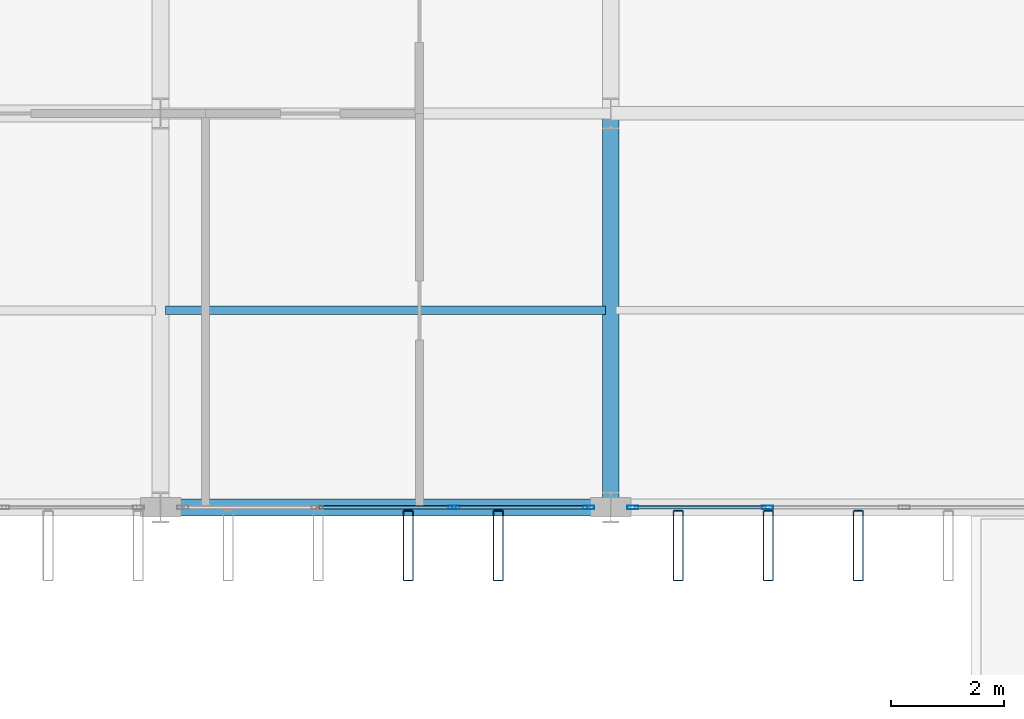
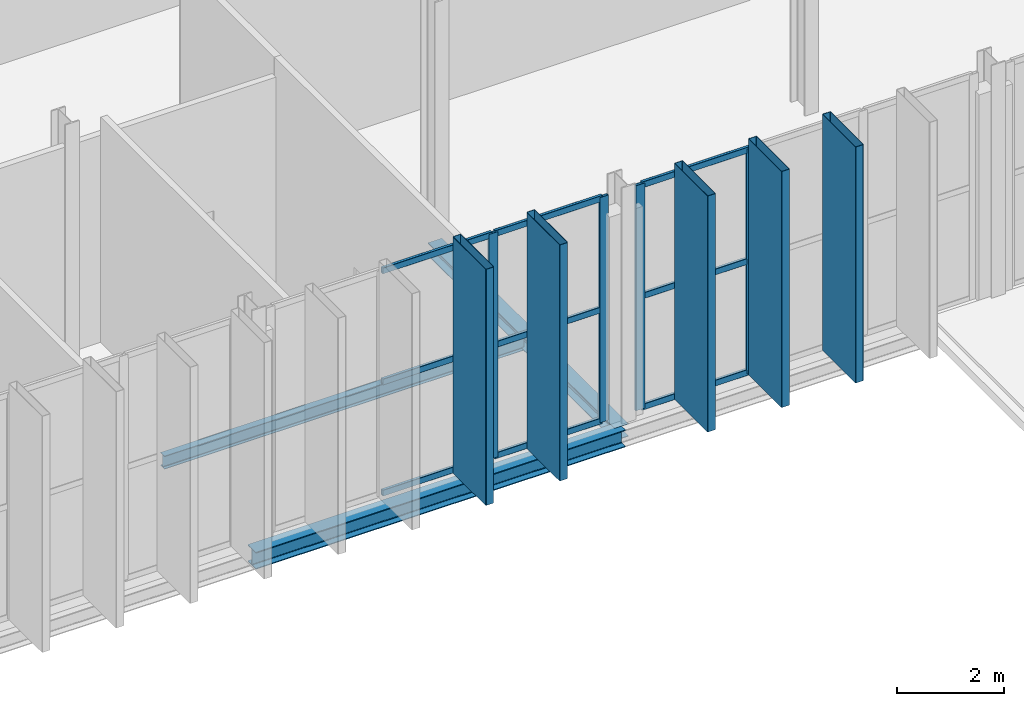
# One storey, part 37 of 147: 18 members, 3 beams, 2 elements without a shape of their own.
"""IFC4 building model written with IfcOpenShell, lengths in metres."""

from ifc_helpers import new_model, si_unit, direction, frame, origin, origin_2d, place, context, subcontext, project, spatial, hollow_rectangle, i_section, extrude, material, layer, layer_set, material_profile, profile_set, type_object, element, aggregate, save


model = new_model("IFC4")

# Units and contexts
model_context = context("Model", 3, precision=1e-05, world=origin(), true_north=direction((0.0, 1.0)))
body_context = subcontext(model_context, "Body", "Model", "MODEL_VIEW")
ifc_project = project(units=[si_unit("LENGTHUNIT", "METRE"), si_unit("AREAUNIT", "SQUARE_METRE"), si_unit("VOLUMEUNIT", "CUBIC_METRE"), si_unit("PLANEANGLEUNIT", "RADIAN"), si_unit("MASSUNIT", "GRAM", prefix="KILO")], contexts=[model_context])

# Site, building, storey
site_placement = place(None, origin())
site = spatial("IfcSite", under=ifc_project, at=site_placement, CompositionType="ELEMENT")
building_placement = place(site_placement, origin())
building = spatial("IfcBuilding", under=site, at=building_placement, Name="Vekula Escarpment Museum", CompositionType="ELEMENT")
storey_placement = place(building_placement, frame((0.0, 0.0, 7.800048828125)))
storey = spatial("IfcBuildingStorey", under=building, at=storey_placement, Name="L02", CompositionType="ELEMENT", Elevation=7.800048828125)

# Beams
ifc_material_1 = material(Name="Steel S355", Category="steel")
ifc_material_profile_1 = material_profile(ifc_material_1, i_section(OverallWidth=0.14990234375, OverallDepth=0.300048828125, WebThickness=0.007080078125, FlangeThickness=0.0107421875, FilletRadius=0.014892578125, at=origin_2d()), Name="IPE 300")
ifc_profile_set_1 = profile_set([ifc_material_profile_1], Name="Steel S355")
beam_type_1 = type_object("IfcBeamType", Name="BM-JST-IPE300", PredefinedType="JOIST", material=ifc_profile_set_1)
beam_1_placement = place(storey_placement, frame((78.090087890625, 49.10009765625, -0.41015625), z_axis=(1.0, 0.0, 0.0), x_axis=(0.0, 1.0, 0.0)))
element("IfcBeam", 1, at=beam_1_placement, inside=storey, type_object=beam_type_1, Name="Secondary Joist L02 0743", PredefinedType="JOIST", context=body_context, shape_type="SweptSolid", body=[
    extrude(i_section(OverallWidth=0.14990234375, OverallDepth=0.300048828125, WebThickness=0.007080078125, FlangeThickness=0.0107421875, FilletRadius=0.014892578125, at=origin_2d()), origin(), (0.0, 0.0, 1.0), 7.81982421875),
])
ifc_material_2 = material(Name="Steel S355", Category="steel")
ifc_material_profile_2 = material_profile(ifc_material_2, i_section(OverallWidth=0.300048828125, OverallDepth=0.2900390625, WebThickness=0.008544921875, FlangeThickness=0.013916015625, FilletRadius=0.027099609375, at=origin_2d()), Name="HEA 300")
ifc_profile_set_2 = profile_set([ifc_material_profile_2], Name="Steel S355")
beam_type_2 = type_object("IfcBeamType", Name="BM-SPAN-HEA300", PredefinedType="SPANDREL", material=ifc_profile_set_2)
beam_2_placement = place(storey_placement, frame((86.0, 45.60009765625, -0.405029296875), z_axis=(0.0, 1.0, 0.0), x_axis=(-1.0, 0.0, 0.0)))
element("IfcBeam", 2, at=beam_2_placement, inside=storey, type_object=beam_type_2, Name="Beam Y L02 1144", PredefinedType="SPANDREL", context=body_context, shape_type="SweptSolid", body=[
    extrude(i_section(OverallWidth=0.300048828125, OverallDepth=0.2900390625, WebThickness=0.008544921875, FlangeThickness=0.013916015625, FilletRadius=0.027099609375, at=origin_2d()), origin(), (0.0, 0.0, 1.0), 7.0),
])
ifc_material_3 = material(Name="Steel S355", Category="steel")
ifc_material_profile_3 = material_profile(ifc_material_3, i_section(OverallWidth=0.300048828125, OverallDepth=0.389892578125, WebThickness=0.010986328125, FlangeThickness=0.01904296875, FilletRadius=0.027099609375, at=origin_2d()), Name="HEA 400")
ifc_profile_set_3 = profile_set([ifc_material_profile_3], Name="Steel S355")
beam_type_3 = type_object("IfcBeamType", Name="BM-SPAN-HEA400", PredefinedType="SPANDREL", material=ifc_profile_set_3)
beam_3_placement = place(storey_placement, frame((78.0, 45.60009765625, -0.455078125), z_axis=(1.0, 0.0, 0.0), x_axis=(0.0, 1.0, 0.0)))
element("IfcBeam", 3, at=beam_3_placement, inside=storey, type_object=beam_type_3, Name="Beam X L02 0845", PredefinedType="SPANDREL", context=body_context, shape_type="SweptSolid", body=[
    extrude(i_section(OverallWidth=0.300048828125, OverallDepth=0.389892578125, WebThickness=0.010986328125, FlangeThickness=0.01904296875, FilletRadius=0.027099609375, at=origin_2d()), origin(), (0.0, 0.0, 1.0), 8.0),
])

# Curtain wall, members
ifc_material_4 = material(Name="Aluminium thermally broken framing", Category="aluminium")
ifc_layer_1 = layer(ifc_material_4, 0.199951171875)
ifc_layer_set_1 = layer_set([ifc_layer_1], Name="Aluminium thermally broken framing")
curtain_wall_type_1 = type_object("IfcCurtainWallType", Name="CW-SYS-04", PredefinedType="NOTDEFINED", material=ifc_layer_set_1)
curtain_wall_1_placement = place(storey_placement, origin())
curtain_wall_1 = element("IfcCurtainWall", 4, at=curtain_wall_1_placement, inside=storey, type_object=curtain_wall_type_1, Name="Curtain Wall CW-L02-054", PredefinedType="NOTDEFINED")
ifc_material_5 = material(Name="Aluminium anodized mullion", Category="aluminium")
ifc_material_profile_4 = material_profile(ifc_material_5, hollow_rectangle(XDim=0.06494140625, YDim=0.199951171875, WallThickness=0.00390625, InnerFilletRadius=0.00390625, OuterFilletRadius=0.008056640625, at=origin_2d()), Name="ALU 200x65x4")
ifc_profile_set_4 = profile_set([ifc_material_profile_4], Name="Aluminium anodized mullion")
member_type_1 = type_object("IfcMemberType", Name="CW-MUL-200", PredefinedType="MULLION", material=ifc_profile_set_4)
member_1_placement = place(storey_placement, frame((83.21337890625, 45.60009765625, 0.0), z_axis=(0.0, 0.0, 1.0), x_axis=(0.0, 1.0, 0.0)))
member_1 = element("IfcMember", 5, at=member_1_placement, type_object=member_type_1, Name="CW-04 mullion 3", PredefinedType="MULLION", context=body_context, shape_type="SweptSolid", body=[
    extrude(hollow_rectangle(XDim=0.06494140625, YDim=0.199951171875, WallThickness=0.00390625, InnerFilletRadius=0.00390625, OuterFilletRadius=0.008056640625, at=origin_2d()), origin(), (0.0, 0.0, 1.0), 5.14990234375),
])
member_2_placement = place(storey_placement, frame((85.607421875, 45.60009765625, 0.0), z_axis=(0.0, 0.0, 1.0), x_axis=(0.0, 1.0, 0.0)))
member_2 = element("IfcMember", 6, at=member_2_placement, type_object=member_type_1, Name="CW-04 mullion 4", PredefinedType="MULLION", context=body_context, shape_type="SweptSolid", body=[
    extrude(hollow_rectangle(XDim=0.06494140625, YDim=0.199951171875, WallThickness=0.00390625, InnerFilletRadius=0.00390625, OuterFilletRadius=0.008056640625, at=origin_2d()), origin(), (0.0, 0.0, 1.0), 5.14990234375),
])

ifc_material_6 = material(Name="Aluminium thermally broken framing", Category="aluminium")
ifc_layer_2 = layer(ifc_material_6, 0.159912109375)
ifc_layer_set_2 = layer_set([ifc_layer_2], Name="Aluminium thermally broken framing")
curtain_wall_type_2 = type_object("IfcCurtainWallType", Name="CW-SYS-05", PredefinedType="NOTDEFINED", material=ifc_layer_set_2)
curtain_wall_2_placement = place(storey_placement, origin())
curtain_wall_2 = element("IfcCurtainWall", 7, at=curtain_wall_2_placement, inside=storey, type_object=curtain_wall_type_2, Name="Curtain Wall CW-L02-055", PredefinedType="NOTDEFINED")
member_3_placement = place(storey_placement, frame((86.392578125, 45.60009765625, 0.0), z_axis=(0.0, 0.0, 1.0), x_axis=(0.0, 1.0, 0.0)))
member_3 = element("IfcMember", 8, at=member_3_placement, type_object=member_type_1, Name="CW-05 mullion 1", PredefinedType="MULLION", context=body_context, shape_type="SweptSolid", body=[
    extrude(hollow_rectangle(XDim=0.06494140625, YDim=0.199951171875, WallThickness=0.00390625, InnerFilletRadius=0.00390625, OuterFilletRadius=0.008056640625, at=origin_2d()), origin(), (0.0, 0.0, 1.0), 5.14990234375),
])
member_4_placement = place(storey_placement, frame((88.78662109375, 45.60009765625, 0.0), z_axis=(0.0, 0.0, 1.0), x_axis=(0.0, 1.0, 0.0)))
member_4 = element("IfcMember", 9, at=member_4_placement, type_object=member_type_1, Name="CW-05 mullion 2", PredefinedType="MULLION", context=body_context, shape_type="SweptSolid", body=[
    extrude(hollow_rectangle(XDim=0.06494140625, YDim=0.199951171875, WallThickness=0.00390625, InnerFilletRadius=0.00390625, OuterFilletRadius=0.008056640625, at=origin_2d()), origin(), (0.0, 0.0, 1.0), 5.14990234375),
])

# Member
ifc_material_7 = material(Name="Aluminium anodized transom", Category="aluminium")
ifc_material_profile_5 = material_profile(ifc_material_7, hollow_rectangle(XDim=0.06494140625, YDim=0.139892578125, WallThickness=0.00390625, InnerFilletRadius=0.00390625, OuterFilletRadius=0.008056640625, at=origin_2d()), Name="ALU 140x65x4")
ifc_profile_set_5 = profile_set([ifc_material_profile_5], Name="Aluminium anodized transom")
member_type_2 = type_object("IfcMemberType", Name="CW-TRN-140", PredefinedType="USERDEFINED", material=ifc_profile_set_5)
member_5_placement = place(storey_placement, frame((80.819091796875, 45.60009765625, 0.032470703125), z_axis=(1.0, 0.0, 0.0), x_axis=(0.0, 1.0, 0.0)))
member_5 = element("IfcMember", 10, at=member_5_placement, type_object=member_type_2, Name="CW-04 transom 2.1", ObjectType="TRANSOM", PredefinedType="USERDEFINED", context=body_context, shape_type="SweptSolid", body=[
    extrude(hollow_rectangle(XDim=0.06494140625, YDim=0.139892578125, WallThickness=0.00390625, InnerFilletRadius=0.00390625, OuterFilletRadius=0.008056640625, at=origin_2d()), origin(), (0.0, 0.0, 1.0), 2.36181640625),
])

member_6_placement = place(storey_placement, frame((80.819091796875, 45.60009765625, 2.574951171875), z_axis=(1.0, 0.0, 0.0), x_axis=(0.0, 1.0, 0.0)))
member_6 = element("IfcMember", 11, at=member_6_placement, type_object=member_type_2, Name="CW-04 transom 2.2", ObjectType="TRANSOM", PredefinedType="USERDEFINED", context=body_context, shape_type="SweptSolid", body=[
    extrude(hollow_rectangle(XDim=0.06494140625, YDim=0.139892578125, WallThickness=0.00390625, InnerFilletRadius=0.00390625, OuterFilletRadius=0.008056640625, at=origin_2d()), origin(), (0.0, 0.0, 1.0), 2.36181640625),
])

member_7_placement = place(storey_placement, frame((80.819091796875, 45.60009765625, 5.117431640625), z_axis=(1.0, 0.0, 0.0), x_axis=(0.0, 1.0, 0.0)))
member_7 = element("IfcMember", 12, at=member_7_placement, type_object=member_type_2, Name="CW-04 transom 2.3", ObjectType="TRANSOM", PredefinedType="USERDEFINED", context=body_context, shape_type="SweptSolid", body=[
    extrude(hollow_rectangle(XDim=0.06494140625, YDim=0.139892578125, WallThickness=0.00390625, InnerFilletRadius=0.00390625, OuterFilletRadius=0.008056640625, at=origin_2d()), origin(), (0.0, 0.0, 1.0), 2.36181640625),
])

member_8_placement = place(storey_placement, frame((83.245849609375, 45.60009765625, 0.032470703125), z_axis=(1.0, 0.0, 0.0), x_axis=(0.0, 1.0, 0.0)))
member_8 = element("IfcMember", 13, at=member_8_placement, type_object=member_type_2, Name="CW-04 transom 3.1", ObjectType="TRANSOM", PredefinedType="USERDEFINED", context=body_context, shape_type="SweptSolid", body=[
    extrude(hollow_rectangle(XDim=0.06494140625, YDim=0.139892578125, WallThickness=0.00390625, InnerFilletRadius=0.00390625, OuterFilletRadius=0.008056640625, at=origin_2d()), origin(), (0.0, 0.0, 1.0), 2.3291015625),
])

member_9_placement = place(storey_placement, frame((83.245849609375, 45.60009765625, 2.574951171875), z_axis=(1.0, 0.0, 0.0), x_axis=(0.0, 1.0, 0.0)))
member_9 = element("IfcMember", 14, at=member_9_placement, type_object=member_type_2, Name="CW-04 transom 3.2", ObjectType="TRANSOM", PredefinedType="USERDEFINED", context=body_context, shape_type="SweptSolid", body=[
    extrude(hollow_rectangle(XDim=0.06494140625, YDim=0.139892578125, WallThickness=0.00390625, InnerFilletRadius=0.00390625, OuterFilletRadius=0.008056640625, at=origin_2d()), origin(), (0.0, 0.0, 1.0), 2.3291015625),
])

member_10_placement = place(storey_placement, frame((83.245849609375, 45.60009765625, 5.117431640625), z_axis=(1.0, 0.0, 0.0), x_axis=(0.0, 1.0, 0.0)))
member_10 = element("IfcMember", 15, at=member_10_placement, type_object=member_type_2, Name="CW-04 transom 3.3", ObjectType="TRANSOM", PredefinedType="USERDEFINED", context=body_context, shape_type="SweptSolid", body=[
    extrude(hollow_rectangle(XDim=0.06494140625, YDim=0.139892578125, WallThickness=0.00390625, InnerFilletRadius=0.00390625, OuterFilletRadius=0.008056640625, at=origin_2d()), origin(), (0.0, 0.0, 1.0), 2.3291015625),
])

aggregate(curtain_wall_1, [member_1, member_2, member_5, member_6, member_7, member_8, member_9, member_10])

member_11_placement = place(storey_placement, frame((86.425048828125, 45.60009765625, 0.032470703125), z_axis=(1.0, 0.0, 0.0), x_axis=(0.0, 1.0, 0.0)))
member_11 = element("IfcMember", 16, at=member_11_placement, type_object=member_type_2, Name="CW-05 transom 1.1", ObjectType="TRANSOM", PredefinedType="USERDEFINED", context=body_context, shape_type="SweptSolid", body=[
    extrude(hollow_rectangle(XDim=0.06494140625, YDim=0.139892578125, WallThickness=0.00390625, InnerFilletRadius=0.00390625, OuterFilletRadius=0.008056640625, at=origin_2d()), origin(), (0.0, 0.0, 1.0), 2.3291015625),
])

member_12_placement = place(storey_placement, frame((86.425048828125, 45.60009765625, 2.574951171875), z_axis=(1.0, 0.0, 0.0), x_axis=(0.0, 1.0, 0.0)))
member_12 = element("IfcMember", 17, at=member_12_placement, type_object=member_type_2, Name="CW-05 transom 1.2", ObjectType="TRANSOM", PredefinedType="USERDEFINED", context=body_context, shape_type="SweptSolid", body=[
    extrude(hollow_rectangle(XDim=0.06494140625, YDim=0.139892578125, WallThickness=0.00390625, InnerFilletRadius=0.00390625, OuterFilletRadius=0.008056640625, at=origin_2d()), origin(), (0.0, 0.0, 1.0), 2.3291015625),
])

member_13_placement = place(storey_placement, frame((86.425048828125, 45.60009765625, 5.117431640625), z_axis=(1.0, 0.0, 0.0), x_axis=(0.0, 1.0, 0.0)))
member_13 = element("IfcMember", 18, at=member_13_placement, type_object=member_type_2, Name="CW-05 transom 1.3", ObjectType="TRANSOM", PredefinedType="USERDEFINED", context=body_context, shape_type="SweptSolid", body=[
    extrude(hollow_rectangle(XDim=0.06494140625, YDim=0.139892578125, WallThickness=0.00390625, InnerFilletRadius=0.00390625, OuterFilletRadius=0.008056640625, at=origin_2d()), origin(), (0.0, 0.0, 1.0), 2.3291015625),
])

aggregate(curtain_wall_2, [member_3, member_4, member_11, member_12, member_13])

# Members
ifc_material_8 = material(Name="Steel S355 weathered bronze solar fin", Category="steel")
ifc_material_profile_6 = material_profile(ifc_material_8, hollow_rectangle(XDim=0.179931640625, YDim=1.25, WallThickness=0.010009765625, InnerFilletRadius=0.010009765625, OuterFilletRadius=0.02001953125, at=origin_2d()), Name="RHS 1250x180x10")
ifc_profile_set_6 = profile_set([ifc_material_profile_6], Name="Steel S355 weathered bronze solar fin")
member_type_3 = type_object("IfcMemberType", Name="MB-SOLAR-FIN", PredefinedType="USERDEFINED", material=ifc_profile_set_6)
for number, where, z_axis, x_axis, name in (
    (19, (82.39990234375, 44.919921875, 0.0), (0.0, 0.0, 1.0), (1.0, 0.0, 0.0), "Great Hall Vertical Solar Fin 0037"),
    (20, (84.0, 44.919921875, 0.0), (0.0, 0.0, 1.0), (1.0, 0.0, 0.0), "Great Hall Vertical Solar Fin 0042"),
    (21, (87.199951171875, 44.919921875, 0.0), (0.0, 0.0, 1.0), (1.0, 0.0, 0.0), "Great Hall Vertical Solar Fin 0047"),
    (22, (88.800048828125, 44.919921875, 0.0), (0.0, 0.0, 1.0), (1.0, 0.0, 0.0), "Great Hall Vertical Solar Fin 0052"),
    (23, (90.39990234375, 44.919921875, 0.0), (0.0, 0.0, 1.0), (1.0, 0.0, 0.0), "Great Hall Vertical Solar Fin 0057"),
):
    element("IfcMember", number, at=place(storey_placement, frame(where, z_axis=z_axis, x_axis=x_axis)), inside=storey, type_object=member_type_3, Name=name, ObjectType="SOLAR FIN", PredefinedType="USERDEFINED", context=body_context, shape_type="SweptSolid", body=[
        extrude(hollow_rectangle(XDim=0.179931640625, YDim=1.25, WallThickness=0.010009765625, InnerFilletRadius=0.010009765625, OuterFilletRadius=0.02001953125, at=origin_2d()), origin(), (0.0, 0.0, 1.0), 5.39990234375),
    ])

save(model, "model.ifc")
